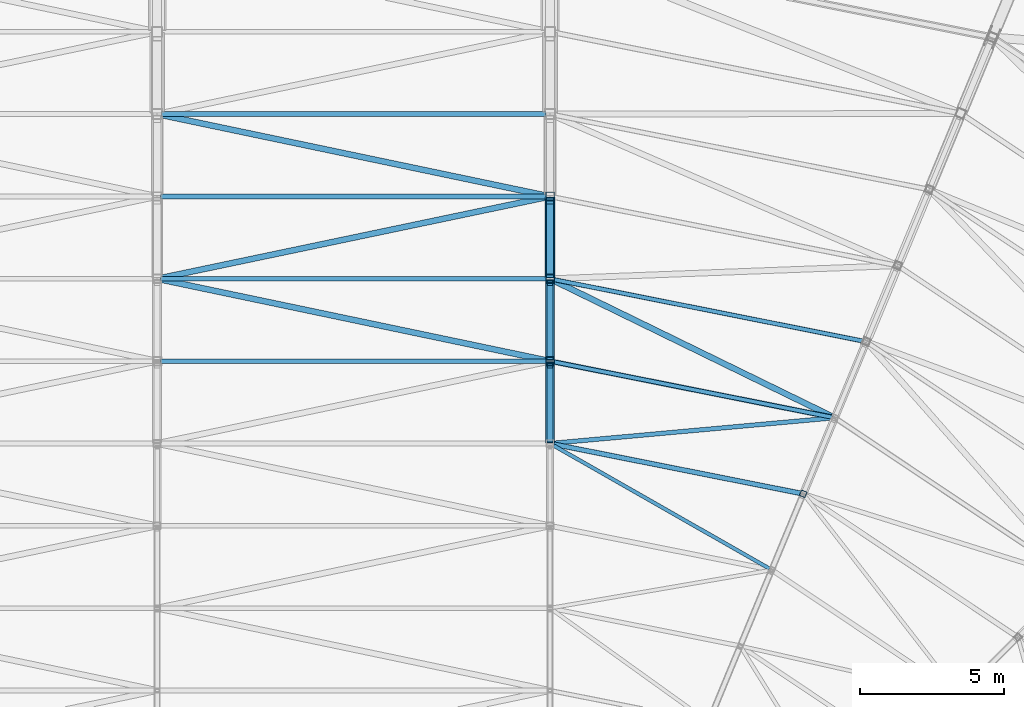
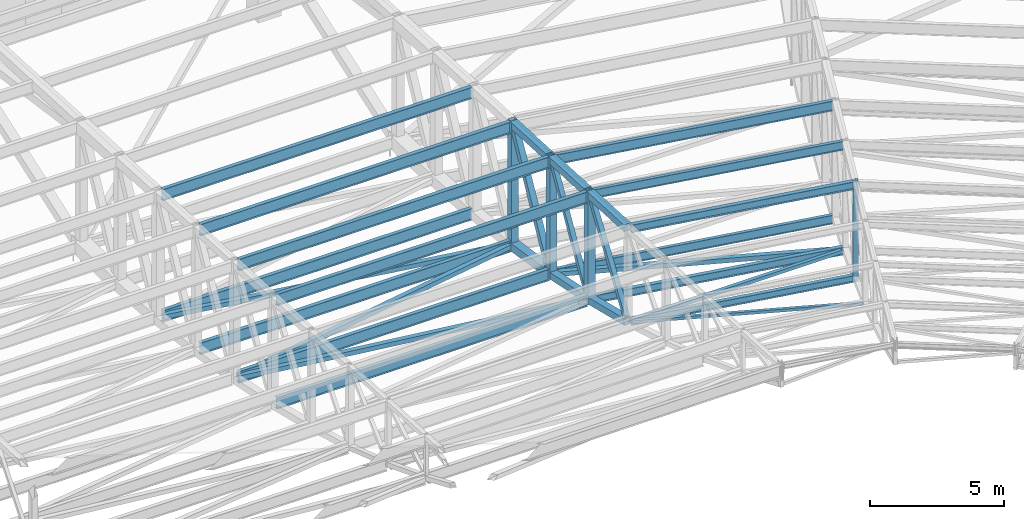
# One storey, part 87 of 278: 23 members, 10 beams.
"""IFC4 building model written with IfcOpenShell, lengths in metres."""

from ifc_helpers import new_model, si_unit, direction, frame, origin, origin_2d, place, context, subcontext, project, spatial, hollow_rectangle, i_section, extrude, material, material_profile, profile_set, type_object, element, save


model = new_model("IFC4")

# Units and contexts
model_context = context("Model", 3, precision=1e-05, world=origin(), true_north=direction((0.0, 1.0)))
body_context = subcontext(model_context, "Body", "Model", "MODEL_VIEW")
ifc_project = project(units=[si_unit("LENGTHUNIT", "METRE"), si_unit("AREAUNIT", "SQUARE_METRE"), si_unit("VOLUMEUNIT", "CUBIC_METRE"), si_unit("PLANEANGLEUNIT", "RADIAN"), si_unit("MASSUNIT", "GRAM", prefix="KILO")], contexts=[model_context])

# Site, building, storey
site_placement = place(None, origin())
site = spatial("IfcSite", under=ifc_project, at=site_placement, CompositionType="ELEMENT")
building_placement = place(site_placement, origin())
building = spatial("IfcBuilding", under=site, at=building_placement, Name="Ogive Plaza Stadium", CompositionType="ELEMENT")
storey_placement = place(building_placement, frame((0.0, 0.0, 29.0)))
storey = spatial("IfcBuildingStorey", under=building, at=storey_placement, Name="Roof", CompositionType="ELEMENT", Elevation=29.0)

# Members
ifc_material_1 = material(Name="Steel ASTM A500 Grade C", Category="steel")
ifc_material_profile_1 = material_profile(ifc_material_1, hollow_rectangle(XDim=0.126953125, YDim=0.126953125, WallThickness=0.005859375, at=origin_2d()), Name="HSS5X5X1/4")
ifc_profile_set_1 = profile_set([ifc_material_profile_1], Name="Steel ASTM A500 Grade C")
member_type_1 = type_object("IfcMemberType", Name="Roof plan brace HSS5X5X1/4", PredefinedType="BRACE", material=ifc_profile_set_1)
member_1_placement = place(storey_placement, frame((41.60302734375, 71.063720703125, 3.242431640625), z_axis=(-0.86502645405, 0.493347767192, -0.091308347927), x_axis=(-0.495417289815, -0.868655115078, 0.0)))
element("IfcMember", 1, at=member_1_placement, inside=storey, type_object=member_type_1, Name="ROOF BRACE B37 4", PredefinedType="BRACE", context=body_context, shape_type="SweptSolid", body=[
    extrude(hollow_rectangle(XDim=0.126953125, YDim=0.126953125, WallThickness=0.005859375, at=origin_2d()), origin(), (0.0, 0.0, 1.0), 8.636474609375),
])
ifc_material_2 = material(Name="Steel ASTM A500 Grade C", Category="steel")
ifc_material_profile_2 = material_profile(ifc_material_2, hollow_rectangle(XDim=0.15234375, YDim=0.15234375, WallThickness=0.005859375, at=origin_2d()), Name="HSS6X6X1/4")
ifc_profile_set_2 = profile_set([ifc_material_profile_2], Name="Steel ASTM A500 Grade C")
member_type_2 = type_object("IfcMemberType", Name="Roof plan brace HSS6X6X1/4", PredefinedType="BRACE", material=ifc_profile_set_2)
member_2_placement = place(storey_placement, frame((34.10400390625, 75.409423828125, 2.4326171875), z_axis=(0.993414799326, 0.089721773876, -0.071253349206), x_axis=(-0.089950405331, 0.995946245829, 0.0)))
element("IfcMember", 2, at=member_2_placement, inside=storey, type_object=member_type_2, Name="ROOF BRACE B37 5", PredefinedType="BRACE", context=body_context, shape_type="SweptSolid", body=[
    extrude(hollow_rectangle(XDim=0.15234375, YDim=0.15234375, WallThickness=0.005859375, at=origin_2d()), origin(), (0.0, 0.0, 1.0), 9.689697265625),
])
ifc_material_3 = material(Name="Steel ASTM A500 Grade C", Category="steel")
ifc_material_profile_3 = material_profile(ifc_material_3, hollow_rectangle(XDim=0.203125, YDim=0.203125, WallThickness=0.0087890625, at=origin_2d()), Name="HSS8X8X3/8")
ifc_profile_set_3 = profile_set([ifc_material_profile_3], Name="Steel ASTM A500 Grade C")
member_type_3 = type_object("IfcMemberType", Name="Roof plan brace HSS8X8X3/8", PredefinedType="BRACE", material=ifc_profile_set_3)
member_3_placement = place(storey_placement, frame((33.856201171875, 78.280029296875, 1.752685546875), z_axis=(-0.977965523229, 0.204948228106, -0.039744926357), x_axis=(-0.205110294312, -0.978738865667, 0.0)))
element("IfcMember", 3, at=member_3_placement, inside=storey, type_object=member_type_3, Name="ROOF BRACE B36 6", PredefinedType="BRACE", context=body_context, shape_type="SweptSolid", body=[
    extrude(hollow_rectangle(XDim=0.203125, YDim=0.203125, WallThickness=0.0087890625, at=origin_2d()), origin(), (0.0, 0.0, 1.0), 13.6123046875),
])
member_4_placement = place(storey_placement, frame((20.5439453125, 81.130126953125, 1.201416015625), z_axis=(0.978282447902, 0.205014644711, -0.030536004664), x_axis=(-0.205110294312, 0.978738865667, 0.0)))
element("IfcMember", 4, at=member_4_placement, inside=storey, type_object=member_type_3, Name="ROOF BRACE B36 7", PredefinedType="BRACE", context=body_context, shape_type="SweptSolid", body=[
    extrude(hollow_rectangle(XDim=0.203125, YDim=0.203125, WallThickness=0.0087890625, at=origin_2d()), origin(), (0.0, 0.0, 1.0), 13.607666015625),
])
member_5_placement = place(storey_placement, frame((33.856201171875, 83.980224609375, 0.778564453125), z_axis=(-0.978554365022, 0.205067940633, -0.019454933079), x_axis=(-0.205106760189, -0.978739606292, 0.0)))
element("IfcMember", 5, at=member_5_placement, inside=storey, type_object=member_type_3, Name="ROOF BRACE B36 8", PredefinedType="BRACE", context=body_context, shape_type="SweptSolid", body=[
    extrude(hollow_rectangle(XDim=0.203125, YDim=0.203125, WallThickness=0.0087890625, at=origin_2d()), origin(), (0.0, 0.0, 1.0), 13.578125),
])
member_6_placement = place(storey_placement, frame((43.783935546875, 76.32421875, 1.729248046875), z_axis=(-0.89751424852, 0.438102005766, -0.050346859366), x_axis=(-0.438658315443, -0.89865392799, 0.0)))
element("IfcMember", 6, at=member_6_placement, inside=storey, type_object=member_type_3, Name="ROOF BRACE B37 6", PredefinedType="BRACE", context=body_context, shape_type="SweptSolid", body=[
    extrude(hollow_rectangle(XDim=0.203125, YDim=0.203125, WallThickness=0.0087890625, at=origin_2d()), origin(), (0.0, 0.0, 1.0), 10.7119140625),
])
ifc_material_4 = material(Name="Steel ASTM A992 Grade 50", Category="steel")
ifc_material_profile_4 = material_profile(ifc_material_4, i_section(OverallWidth=0.164794921875, OverallDepth=0.310302734375, WebThickness=0.005859375, FlangeThickness=0.009765625, at=origin_2d()), Name="W12X26")
ifc_profile_set_4 = profile_set([ifc_material_profile_4], Name="Steel ASTM A992 Grade 50")
member_type_4 = type_object("IfcMemberType", Name="Roof plan strut W12X26", PredefinedType="STRUT", material=ifc_profile_set_4)
member_7_placement = place(storey_placement, frame((34.11376953125, 75.37744140625, 2.43994140625), z_axis=(0.980782384623, -0.195104879523, 0.0), x_axis=(0.195104879523, 0.980782384623, 0.0)))
element("IfcMember", 7, at=member_7_placement, inside=storey, type_object=member_type_4, Name="ROOF STRUT B37 4", PredefinedType="STRUT", context=body_context, shape_type="SweptSolid", body=[
    extrude(i_section(OverallWidth=0.164794921875, OverallDepth=0.310302734375, WebThickness=0.005859375, FlangeThickness=0.009765625, at=origin_2d()), origin(), (0.0, 0.0, 1.0), 8.729248046875),
])
ifc_material_5 = material(Name="Steel ASTM A992 Grade 50", Category="steel")
ifc_material_profile_5 = material_profile(ifc_material_5, i_section(OverallWidth=0.17138671875, OverallDepth=0.35498046875, WebThickness=0.00732421875, FlangeThickness=0.011474609375, at=origin_2d()), Name="W14X34")
ifc_profile_set_5 = profile_set([ifc_material_profile_5], Name="Steel ASTM A992 Grade 50")
member_type_5 = type_object("IfcMemberType", Name="Roof plan strut W14X34", PredefinedType="STRUT", material=ifc_profile_set_5)
member_8_placement = place(storey_placement, frame((34.1396484375, 78.22216796875, 1.733154296875), z_axis=(0.980786798777, -0.19508268848, 0.0), x_axis=(0.19508268848, 0.980786798777, 0.0)))
element("IfcMember", 8, at=member_8_placement, inside=storey, type_object=member_type_5, Name="ROOF STRUT B37 5", PredefinedType="STRUT", context=body_context, shape_type="SweptSolid", body=[
    extrude(i_section(OverallWidth=0.17138671875, OverallDepth=0.35498046875, WebThickness=0.00732421875, FlangeThickness=0.011474609375, at=origin_2d()), origin(), (0.0, 0.0, 1.0), 9.81396484375),
])
ifc_material_6 = material(Name="Steel ASTM A992 Grade 50", Category="steel")
ifc_material_profile_6 = material_profile(ifc_material_6, i_section(OverallWidth=0.140380859375, OverallDepth=0.4033203125, WebThickness=0.007080078125, FlangeThickness=0.01123046875, at=origin_2d()), Name="W16X31")
ifc_profile_set_6 = profile_set([ifc_material_profile_6], Name="Steel ASTM A992 Grade 50")
member_type_6 = type_object("IfcMemberType", Name="Roof plan strut W16X31", PredefinedType="STRUT", material=ifc_profile_set_6)
member_9_placement = place(storey_placement, frame((34.13671875, 81.07275390625, 1.180419921875), z_axis=(0.980785907738, -0.195087168164, 0.0), x_axis=(0.195087168164, 0.980785907738, 0.0)))
element("IfcMember", 9, at=member_9_placement, inside=storey, type_object=member_type_6, Name="ROOF STRUT B37 6", PredefinedType="STRUT", context=body_context, shape_type="SweptSolid", body=[
    extrude(i_section(OverallWidth=0.140380859375, OverallDepth=0.4033203125, WebThickness=0.007080078125, FlangeThickness=0.01123046875, at=origin_2d()), origin(), (0.0, 0.0, 1.0), 10.90625),
])
ifc_material_7 = material(Name="Steel ASTM A992 Grade 50", Category="steel")
ifc_material_profile_7 = material_profile(ifc_material_7, i_section(OverallWidth=0.1650390625, OverallDepth=0.524658203125, WebThickness=0.0087890625, FlangeThickness=0.011474609375, at=origin_2d()), Name="W21X44")
ifc_profile_set_7 = profile_set([ifc_material_profile_7], Name="Steel ASTM A992 Grade 50")
member_type_7 = type_object("IfcMemberType", Name="Roof plan strut W21X44", PredefinedType="STRUT", material=ifc_profile_set_7)
for number, where, z_axis, x_axis, name in (
    (10, (20.5224609375, 78.25, 1.758544921875), (1.0, 0.0, 0.0), (0.0, 1.0, 0.0), "ROOF STRUT B36 5"),
    (11, (20.5224609375, 81.10009765625, 1.205810546875), (1.0, 0.0, 0.0), (0.0, 1.0, 0.0), "ROOF STRUT B36 6"),
    (12, (20.5224609375, 83.949951171875, 0.781494140625), (1.0, 0.0, 0.0), (0.0, 1.0, 0.0), "ROOF STRUT B36 7"),
):
    element("IfcMember", number, at=place(storey_placement, frame(where, z_axis=z_axis, x_axis=x_axis)), inside=storey, type_object=member_type_7, Name=name, PredefinedType="STRUT", context=body_context, shape_type="SweptSolid", body=[
        extrude(i_section(OverallWidth=0.1650390625, OverallDepth=0.524658203125, WebThickness=0.0087890625, FlangeThickness=0.011474609375, at=origin_2d()), origin(), (0.0, 0.0, 1.0), 13.355224609375),
    ])
member_10_placement = place(storey_placement, frame((20.5478515625, 86.800048828125, 0.510986328125), z_axis=(1.0, 0.0, 0.0), x_axis=(0.0, 1.0, 0.0)))
element("IfcMember", 13, at=member_10_placement, inside=storey, type_object=member_type_7, Name="ROOF STRUT B36 8", PredefinedType="STRUT", context=body_context, shape_type="SweptSolid", body=[
    extrude(i_section(OverallWidth=0.1650390625, OverallDepth=0.524658203125, WebThickness=0.0087890625, FlangeThickness=0.011474609375, at=origin_2d()), origin(), (0.0, 0.0, 1.0), 13.304443359375),
])
ifc_material_8 = material(Name="Steel ASTM A992 Grade 50", Category="steel")
ifc_material_profile_8 = material_profile(ifc_material_8, i_section(OverallWidth=0.17138671875, OverallDepth=0.35498046875, WebThickness=0.00732421875, FlangeThickness=0.011474609375, at=origin_2d()), Name="W14X34")
ifc_profile_set_8 = profile_set([ifc_material_profile_8], Name="Steel ASTM A992 Grade 50")
member_type_8 = type_object("IfcMemberType", Name="Roof purlin W14X34", PredefinedType="PURLIN", material=ifc_profile_set_8)
member_11_placement = place(storey_placement, frame((34.1142578125, 75.377197265625, 6.677490234375), z_axis=(0.980787765569, -0.195077827826, 0.0), x_axis=(0.195077827826, 0.980787765569, 0.0)))
element("IfcMember", 14, at=member_11_placement, inside=storey, type_object=member_type_8, Name="ROOF PURLIN B37 4", PredefinedType="PURLIN", context=body_context, shape_type="SweptSolid", body=[
    extrude(i_section(OverallWidth=0.17138671875, OverallDepth=0.35498046875, WebThickness=0.00732421875, FlangeThickness=0.011474609375, at=origin_2d()), origin(), (0.0, 0.0, 1.0), 8.72802734375),
])
ifc_material_9 = material(Name="Steel ASTM A992 Grade 50", Category="steel")
ifc_material_profile_9 = material_profile(ifc_material_9, i_section(OverallWidth=0.140380859375, OverallDepth=0.4033203125, WebThickness=0.007080078125, FlangeThickness=0.01123046875, at=origin_2d()), Name="W16X31")
ifc_profile_set_9 = profile_set([ifc_material_profile_9], Name="Steel ASTM A992 Grade 50")
member_type_9 = type_object("IfcMemberType", Name="Roof purlin W16X31", PredefinedType="PURLIN", material=ifc_profile_set_9)
member_12_placement = place(storey_placement, frame((34.13671875, 78.222900390625, 6.5107421875), z_axis=(0.980781911446, -0.195107258144, 0.0), x_axis=(0.195107258144, 0.980781911446, 0.0)))
element("IfcMember", 15, at=member_12_placement, inside=storey, type_object=member_type_9, Name="ROOF PURLIN B37 5", PredefinedType="PURLIN", context=body_context, shape_type="SweptSolid", body=[
    extrude(i_section(OverallWidth=0.140380859375, OverallDepth=0.4033203125, WebThickness=0.007080078125, FlangeThickness=0.01123046875, at=origin_2d()), origin(), (0.0, 0.0, 1.0), 9.8203125),
])
ifc_material_10 = material(Name="Steel ASTM A992 Grade 50", Category="steel")
ifc_material_profile_10 = material_profile(ifc_material_10, i_section(OverallWidth=0.15234375, OverallDepth=0.449462890625, WebThickness=0.007568359375, FlangeThickness=0.0107421875, at=origin_2d()), Name="W18X35")
ifc_profile_set_10 = profile_set([ifc_material_profile_10], Name="Steel ASTM A992 Grade 50")
member_type_10 = type_object("IfcMemberType", Name="Roof purlin W18X35", PredefinedType="PURLIN", material=ifc_profile_set_10)
member_13_placement = place(storey_placement, frame((34.137939453125, 81.072509765625, 6.34521484375), z_axis=(0.980785954477, -0.195086933188, 0.0), x_axis=(0.195086933188, 0.980785954477, 0.0)))
element("IfcMember", 16, at=member_13_placement, inside=storey, type_object=member_type_10, Name="ROOF PURLIN B37 6", PredefinedType="PURLIN", context=body_context, shape_type="SweptSolid", body=[
    extrude(i_section(OverallWidth=0.15234375, OverallDepth=0.449462890625, WebThickness=0.007568359375, FlangeThickness=0.0107421875, at=origin_2d()), origin(), (0.0, 0.0, 1.0), 10.90380859375),
])
ifc_material_11 = material(Name="Steel ASTM A992 Grade 50", Category="steel")
ifc_material_profile_11 = material_profile(ifc_material_11, i_section(OverallWidth=0.1650390625, OverallDepth=0.524658203125, WebThickness=0.0087890625, FlangeThickness=0.011474609375, at=origin_2d()), Name="W21X44")
ifc_profile_set_11 = profile_set([ifc_material_profile_11], Name="Steel ASTM A992 Grade 50")
member_type_11 = type_object("IfcMemberType", Name="Roof purlin W21X44", PredefinedType="PURLIN", material=ifc_profile_set_11)
for number, where, z_axis, x_axis, name in (
    (17, (20.5224609375, 78.25, 6.4501953125), (1.0, 0.0, 0.0), (0.0, 1.0, 0.0), "ROOF PURLIN B36 5"),
    (18, (20.5224609375, 81.10009765625, 6.3076171875), (1.0, 0.0, 0.0), (0.0, 1.0, 0.0), "ROOF PURLIN B36 6"),
    (19, (20.5224609375, 83.949951171875, 6.1650390625), (1.0, 0.0, 0.0), (0.0, 1.0, 0.0), "ROOF PURLIN B36 7"),
):
    element("IfcMember", number, at=place(storey_placement, frame(where, z_axis=z_axis, x_axis=x_axis)), inside=storey, type_object=member_type_11, Name=name, PredefinedType="PURLIN", context=body_context, shape_type="SweptSolid", body=[
        extrude(i_section(OverallWidth=0.1650390625, OverallDepth=0.524658203125, WebThickness=0.0087890625, FlangeThickness=0.011474609375, at=origin_2d()), origin(), (0.0, 0.0, 1.0), 13.355224609375),
    ])
member_14_placement = place(storey_placement, frame((20.5478515625, 86.800048828125, 6.022705078125), z_axis=(1.0, 0.0, 0.0), x_axis=(0.0, 1.0, 0.0)))
element("IfcMember", 20, at=member_14_placement, inside=storey, type_object=member_type_11, Name="ROOF PURLIN B36 8", PredefinedType="PURLIN", context=body_context, shape_type="SweptSolid", body=[
    extrude(i_section(OverallWidth=0.1650390625, OverallDepth=0.524658203125, WebThickness=0.0087890625, FlangeThickness=0.011474609375, at=origin_2d()), origin(), (0.0, 0.0, 1.0), 13.304443359375),
])

# Beams
ifc_material_12 = material(Name="Steel ASTM A500 Grade C", Category="steel")
ifc_material_profile_12 = material_profile(ifc_material_12, hollow_rectangle(XDim=0.3046875, YDim=0.3046875, WallThickness=0.0146484375, at=origin_2d()), Name="HSS12X12X5/8")
ifc_profile_set_12 = profile_set([ifc_material_profile_12], Name="Steel ASTM A500 Grade C")
beam_type_1 = type_object("IfcBeamType", Name="Roof truss bottom chord HSS12X12X5/8", PredefinedType="BEAM", material=ifc_profile_set_12)
beam_1_placement = place(storey_placement, frame((34.0, 75.449951171875, 2.45751953125), z_axis=(0.0, 0.970607032995, -0.240669872439), x_axis=(-1.0, 0.0, 0.0)))
element("IfcBeam", 21, at=beam_1_placement, inside=storey, type_object=beam_type_1, Name="ROOF TRUSS T37 BOTTOM CHORD 5", PredefinedType="BEAM", context=body_context, shape_type="SweptSolid", body=[
    extrude(hollow_rectangle(XDim=0.3046875, YDim=0.3046875, WallThickness=0.0146484375, at=origin_2d()), origin(), (0.0, 0.0, 1.0), 2.833251953125),
])
beam_2_placement = place(storey_placement, frame((34.0, 78.300048828125, 1.751708984375), z_axis=(0.0, 0.980021250437, -0.19889280704), x_axis=(-1.0, 0.0, 0.0)))
element("IfcBeam", 22, at=beam_2_placement, inside=storey, type_object=beam_type_1, Name="ROOF TRUSS T37 BOTTOM CHORD 6", PredefinedType="BEAM", context=body_context, shape_type="SweptSolid", body=[
    extrude(hollow_rectangle(XDim=0.3046875, YDim=0.3046875, WallThickness=0.0146484375, at=origin_2d()), origin(), (0.0, 0.0, 1.0), 2.80615234375),
])
ifc_material_13 = material(Name="Steel ASTM A500 Grade C", Category="steel")
ifc_material_profile_13 = material_profile(ifc_material_13, hollow_rectangle(XDim=0.355712890625, YDim=0.355712890625, WallThickness=0.0146484375, at=origin_2d()), Name="HSS14X14X5/8")
ifc_profile_set_13 = profile_set([ifc_material_profile_13], Name="Steel ASTM A500 Grade C")
beam_type_2 = type_object("IfcBeamType", Name="Roof truss bottom chord HSS14X14X5/8", PredefinedType="BEAM", material=ifc_profile_set_13)
beam_3_placement = place(storey_placement, frame((34.0, 81.14990234375, 1.2001953125), z_axis=(0.0, 0.987770074518, -0.155917541947), x_axis=(-1.0, 0.0, 0.0)))
element("IfcBeam", 23, at=beam_3_placement, inside=storey, type_object=beam_type_2, Name="ROOF TRUSS T37 BOTTOM CHORD 7", PredefinedType="BEAM", context=body_context, shape_type="SweptSolid", body=[
    extrude(hollow_rectangle(XDim=0.355712890625, YDim=0.355712890625, WallThickness=0.0146484375, at=origin_2d()), origin(), (0.0, 0.0, 1.0), 2.783935546875),
])

# Members
ifc_material_14 = material(Name="Steel ASTM A500 Grade C", Category="steel")
ifc_material_profile_14 = material_profile(ifc_material_14, hollow_rectangle(XDim=0.25390625, YDim=0.25390625, WallThickness=0.0087890625, at=origin_2d()), Name="HSS10X10X3/8")
ifc_profile_set_14 = profile_set([ifc_material_profile_14], Name="Steel ASTM A500 Grade C")
member_type_12 = type_object("IfcMemberType", Name="Roof truss diagonal HSS10X10X3/8", PredefinedType="BRACE", material=ifc_profile_set_14)
member_15_placement = place(storey_placement, frame((34.0, 81.25244140625, 1.383544921875), z_axis=(0.0, 0.473127942579, 0.880993728667), x_axis=(-1.0, 0.0, 0.0)))
element("IfcMember", 24, at=member_15_placement, inside=storey, type_object=member_type_12, Name="ROOF TRUSS T37 DIAGONAL 7", PredefinedType="BRACE", context=body_context, shape_type="SweptSolid", body=[
    extrude(hollow_rectangle(XDim=0.25390625, YDim=0.25390625, WallThickness=0.0087890625, at=origin_2d()), origin(), (0.0, 0.0, 1.0), 5.37939453125),
])
ifc_material_15 = material(Name="Steel ASTM A500 Grade C", Category="steel")
ifc_material_profile_15 = material_profile(ifc_material_15, hollow_rectangle(XDim=0.203125, YDim=0.203125, WallThickness=0.0087890625, at=origin_2d()), Name="HSS8X8X3/8")
ifc_profile_set_15 = profile_set([ifc_material_profile_15], Name="Steel ASTM A500 Grade C")
member_type_13 = type_object("IfcMemberType", Name="Roof truss diagonal HSS8X8X3/8", PredefinedType="BRACE", material=ifc_profile_set_15)
member_16_placement = place(storey_placement, frame((34.0, 75.527099609375, 2.617919921875), z_axis=(0.0, 0.561338440243, 0.827586343233), x_axis=(-1.0, 0.0, 0.0)))
element("IfcMember", 25, at=member_16_placement, inside=storey, type_object=member_type_13, Name="ROOF TRUSS T37 DIAGONAL 5", PredefinedType="BRACE", context=body_context, shape_type="SweptSolid", body=[
    extrude(hollow_rectangle(XDim=0.203125, YDim=0.203125, WallThickness=0.0087890625, at=origin_2d()), origin(), (0.0, 0.0, 1.0), 4.579345703125),
])
member_17_placement = place(storey_placement, frame((34.0, 78.40234375, 1.9111328125), z_axis=(0.0, 0.504659398762, 0.863318534054), x_axis=(-1.0, 0.0, 0.0)))
element("IfcMember", 26, at=member_17_placement, inside=storey, type_object=member_type_13, Name="ROOF TRUSS T37 DIAGONAL 6", PredefinedType="BRACE", context=body_context, shape_type="SweptSolid", body=[
    extrude(hollow_rectangle(XDim=0.203125, YDim=0.203125, WallThickness=0.0087890625, at=origin_2d()), origin(), (0.0, 0.0, 1.0), 5.043212890625),
])

# Beams
ifc_material_16 = material(Name="Steel ASTM A500 Grade C", Category="steel")
ifc_material_profile_16 = material_profile(ifc_material_16, hollow_rectangle(XDim=0.3046875, YDim=0.3046875, WallThickness=0.01171875, at=origin_2d()), Name="HSS12X12X1/2")
ifc_profile_set_16 = profile_set([ifc_material_profile_16], Name="Steel ASTM A500 Grade C")
beam_type_3 = type_object("IfcBeamType", Name="Roof truss post HSS12X12X1/2", PredefinedType="BEAM", material=ifc_profile_set_16)
beam_4_placement = place(storey_placement, frame((34.0, 78.25, 1.606201171875), z_axis=(0.0, 0.0, 1.0), x_axis=(-1.0, 0.0, 0.0)))
element("IfcBeam", 27, at=beam_4_placement, inside=storey, type_object=beam_type_3, Name="ROOF TRUSS T37 POST 6", PredefinedType="BEAM", context=body_context, shape_type="SweptSolid", body=[
    extrude(hollow_rectangle(XDim=0.3046875, YDim=0.3046875, WallThickness=0.01171875, at=origin_2d()), origin(), (0.0, 0.0, 1.0), 5.106201171875),
])
ifc_material_17 = material(Name="Steel ASTM A500 Grade C", Category="steel")
ifc_material_profile_17 = material_profile(ifc_material_17, hollow_rectangle(XDim=0.3046875, YDim=0.3046875, WallThickness=0.0146484375, at=origin_2d()), Name="HSS12X12X5/8")
ifc_profile_set_17 = profile_set([ifc_material_profile_17], Name="Steel ASTM A500 Grade C")
beam_type_4 = type_object("IfcBeamType", Name="Roof truss post HSS12X12X5/8", PredefinedType="BEAM", material=ifc_profile_set_17)
beam_5_placement = place(storey_placement, frame((34.0, 81.10009765625, 1.028076171875), z_axis=(0.0, 0.0, 1.0), x_axis=(-1.0, 0.0, 0.0)))
element("IfcBeam", 28, at=beam_5_placement, inside=storey, type_object=beam_type_4, Name="ROOF TRUSS T37 POST 7", PredefinedType="BEAM", context=body_context, shape_type="SweptSolid", body=[
    extrude(hollow_rectangle(XDim=0.3046875, YDim=0.3046875, WallThickness=0.0146484375, at=origin_2d()), origin(), (0.0, 0.0, 1.0), 5.5419921875),
])
beam_6_placement = place(storey_placement, frame((34.0, 83.949951171875, 0.578369140625), z_axis=(0.0, 0.0, 1.0), x_axis=(-1.0, 0.0, 0.0)))
element("IfcBeam", 29, at=beam_6_placement, inside=storey, type_object=beam_type_4, Name="ROOF TRUSS T37 POST 8", PredefinedType="BEAM", context=body_context, shape_type="SweptSolid", body=[
    extrude(hollow_rectangle(XDim=0.3046875, YDim=0.3046875, WallThickness=0.0146484375, at=origin_2d()), origin(), (0.0, 0.0, 1.0), 5.84912109375),
])
ifc_material_18 = material(Name="Steel ASTM A500 Grade C", Category="steel")
ifc_material_profile_18 = material_profile(ifc_material_18, hollow_rectangle(XDim=0.203125, YDim=0.203125, WallThickness=0.0087890625, at=origin_2d()), Name="HSS8X8X3/8")
ifc_profile_set_18 = profile_set([ifc_material_profile_18], Name="Steel ASTM A500 Grade C")
beam_type_5 = type_object("IfcBeamType", Name="Roof truss post HSS8X8X3/8", PredefinedType="BEAM", material=ifc_profile_set_18)
beam_7_placement = place(storey_placement, frame((42.763427734375, 73.65673828125, 2.31298828125), z_axis=(0.0, 0.0, 1.0), x_axis=(-0.923879532511, 0.382683432365, 0.0)))
element("IfcBeam", 30, at=beam_7_placement, inside=storey, type_object=beam_type_5, Name="ROOF TRUSS T38 POST 5", PredefinedType="BEAM", context=body_context, shape_type="SweptSolid", body=[
    extrude(hollow_rectangle(XDim=0.203125, YDim=0.203125, WallThickness=0.0087890625, at=origin_2d()), origin(), (0.0, 0.0, 1.0), 4.5419921875),
])
ifc_material_19 = material(Name="Steel ASTM A500 Grade C", Category="steel")
ifc_material_profile_19 = material_profile(ifc_material_19, hollow_rectangle(XDim=0.3046875, YDim=0.3046875, WallThickness=0.01171875, at=origin_2d()), Name="HSS12X12X1/2")
ifc_profile_set_19 = profile_set([ifc_material_profile_19], Name="Steel ASTM A500 Grade C")
beam_type_6 = type_object("IfcBeamType", Name="Roof truss top chord HSS12X12X1/2", PredefinedType="BEAM", material=ifc_profile_set_19)
beam_8_placement = place(storey_placement, frame((34.0, 81.14990234375, 6.414794921875), z_axis=(0.0, 0.998753223187, -0.049919927615), x_axis=(-1.0, 0.0, 0.0)))
element("IfcBeam", 31, at=beam_8_placement, inside=storey, type_object=beam_type_6, Name="ROOF TRUSS T37 TOP CHORD 7", PredefinedType="BEAM", context=body_context, shape_type="SweptSolid", body=[
    extrude(hollow_rectangle(XDim=0.3046875, YDim=0.3046875, WallThickness=0.01171875, at=origin_2d()), origin(), (0.0, 0.0, 1.0), 2.75341796875),
])
ifc_material_20 = material(Name="Steel ASTM A500 Grade C", Category="steel")
ifc_material_profile_20 = material_profile(ifc_material_20, hollow_rectangle(XDim=0.3046875, YDim=0.3046875, WallThickness=0.0087890625, at=origin_2d()), Name="HSS12X12X3/8")
ifc_profile_set_20 = profile_set([ifc_material_profile_20], Name="Steel ASTM A500 Grade C")
beam_type_7 = type_object("IfcBeamType", Name="Roof truss top chord HSS12X12X3/8", PredefinedType="BEAM", material=ifc_profile_set_20)
for number, where, z_axis, x_axis, name in (
    (32, (34.0, 75.449951171875, 6.699951171875), (0.0, 0.998753223187, -0.049919927615), (-1.0, 0.0, 0.0), "ROOF TRUSS T37 TOP CHORD 5"),
    (33, (34.0, 78.300048828125, 6.557373046875), (0.0, 0.998753223187, -0.049919927615), (-1.0, 0.0, 0.0), "ROOF TRUSS T37 TOP CHORD 6"),
):
    element("IfcBeam", number, at=place(storey_placement, frame(where, z_axis=z_axis, x_axis=x_axis)), inside=storey, type_object=beam_type_7, Name=name, PredefinedType="BEAM", context=body_context, shape_type="SweptSolid", body=[
        extrude(hollow_rectangle(XDim=0.3046875, YDim=0.3046875, WallThickness=0.0087890625, at=origin_2d()), origin(), (0.0, 0.0, 1.0), 2.75341796875),
    ])

save(model, "model.ifc")
